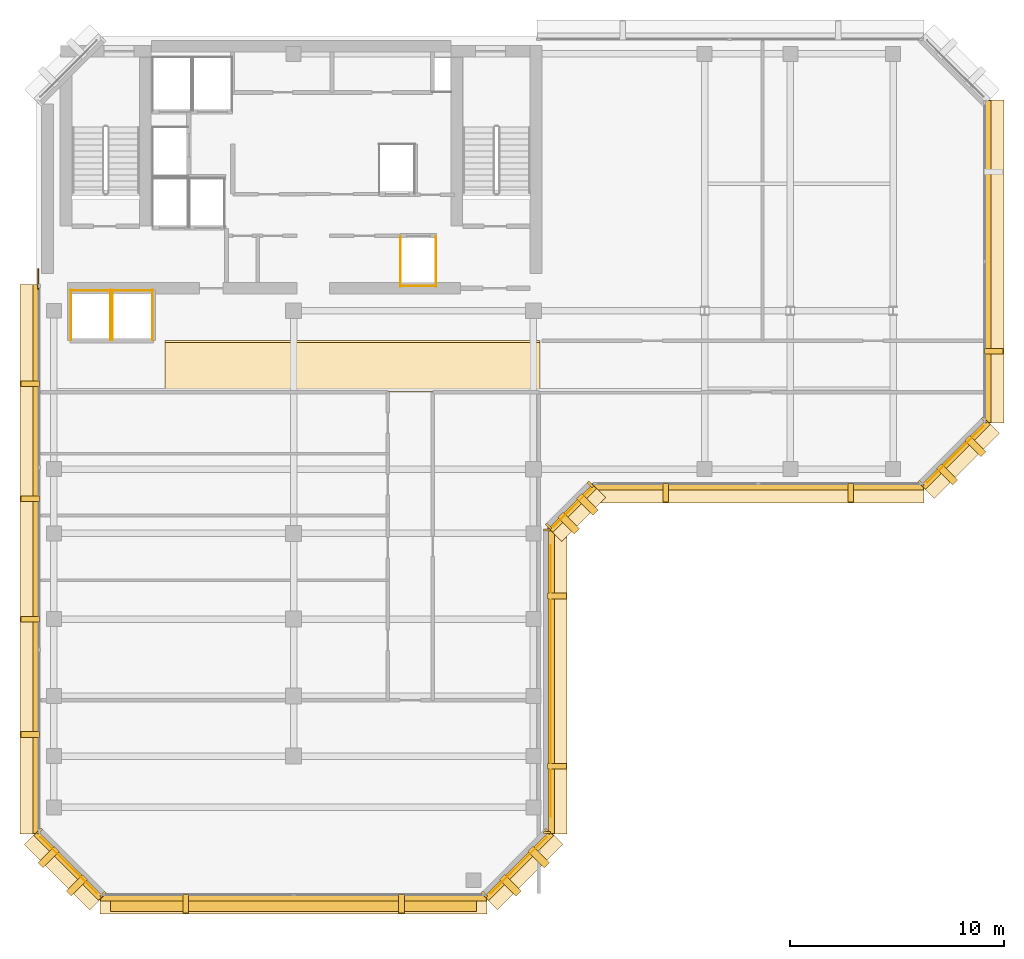
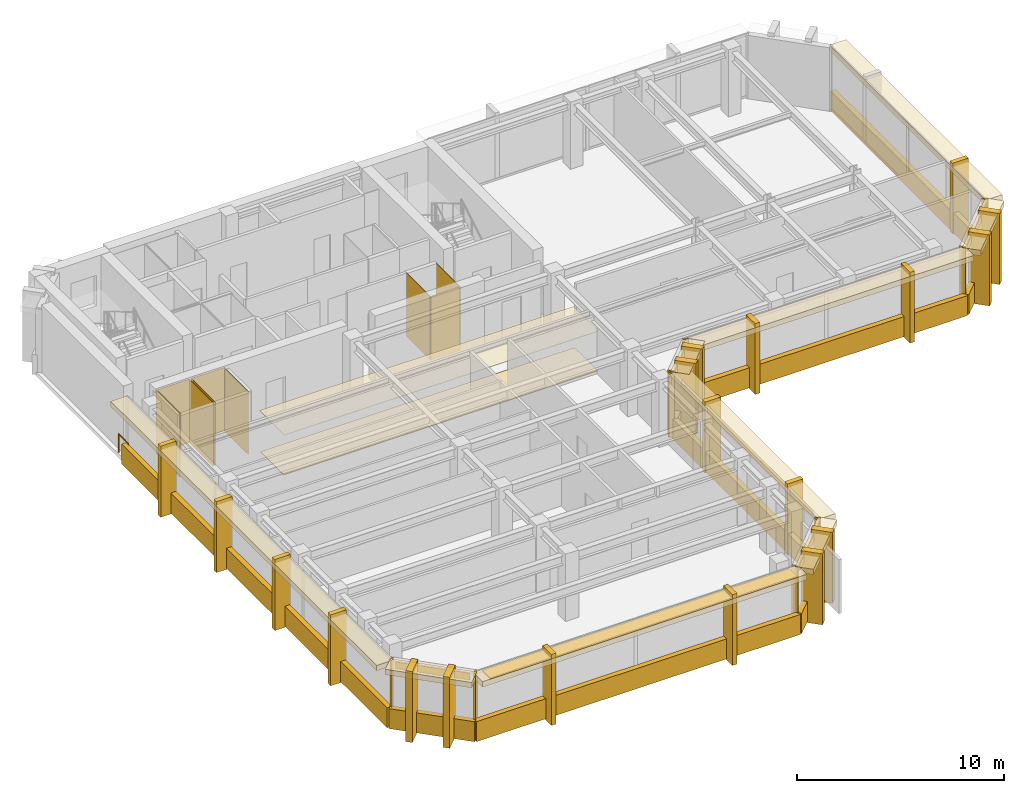
# One storey, part 9 of 11: 63 coverings, 1 railing, 1 shading device.
"""IFC4 building model written with IfcOpenShell, lengths in metres."""

import ifcopenshell
import ifcopenshell.guid

model = None  # the IFC model being written
_history = None  # IfcOwnerHistory: only IFC2X3 demands one
_inside = {}  # id of a spatial element -> (the spatial element, [elements in it])
_under = {}  # id of a project, library or spatial element -> (it, [spatial elements below it])
_declared = {}  # id of a project -> (the project, [libraries it declares])
_typed = {}  # id of a type object -> (the type object, [elements of that type])
_made_of = {}  # id of a material, layer set ... -> (it, [elements and type objects made of it])


def new_model(schema):
    """Start an empty IFC model of exactly this schema.

    Asked for "IFC4X3", IfcOpenShell would pick the latest addendum, in which some entities
    have other attributes; the version numbers below select the first issue.
    IFC2X3 requires an IfcOwnerHistory on every rooted entity: one is made here for all.
    """
    global model, _history
    if schema == "IFC4X3":
        model = ifcopenshell.file(schema_version=(4, 3, 0, 0))
    else:
        model = ifcopenshell.file(schema=schema)
    _inside.clear()
    _under.clear()
    _declared.clear()
    _typed.clear()
    _made_of.clear()
    _history = None
    if model.schema == "IFC2X3":
        org = make("IfcOrganization", Name="unknown")
        user = make(
            "IfcPersonAndOrganization",
            ThePerson=make("IfcPerson", FamilyName="unknown"),
            TheOrganization=org,
        )
        app = make(
            "IfcApplication",
            ApplicationDeveloper=org,
            Version="unknown",
            ApplicationFullName="unknown",
            ApplicationIdentifier="unknown",
        )
        _history = make(
            "IfcOwnerHistory",
            OwningUser=user,
            OwningApplication=app,
            ChangeAction="ADDED",
            CreationDate=0,
        )
    return model


def make(cls, **values):
    """One entity of the class cls with the attributes given. An attribute that is None is left unset."""
    return model.create_entity(
        cls, **{name: value for name, value in values.items() if value is not None}
    )


def rooted(cls, **values):
    """An entity with a GlobalId (a new one), such as an element, a storey or a relation."""
    return make(cls, GlobalId=ifcopenshell.guid.new(), OwnerHistory=_history, **values)


def si_unit(unit_type, name, prefix=None):
    """IfcSIUnit, for example si_unit("LENGTHUNIT", "METRE", prefix="MILLI")."""
    return make("IfcSIUnit", UnitType=unit_type, Prefix=prefix, Name=name)


def assignment(units):
    """IfcUnitAssignment: the units of a project."""
    return None if units is None else make("IfcUnitAssignment", Units=units)


def point(xyz):
    """IfcCartesianPoint."""
    return None if xyz is None else make("IfcCartesianPoint", Coordinates=xyz)


def direction(xyz):
    """IfcDirection."""
    return None if xyz is None else make("IfcDirection", DirectionRatios=xyz)


def frame(location, z_axis=None, x_axis=None):
    """IfcAxis2Placement3D, a coordinate frame: its origin and axes. An axis left out is left unset."""
    return make(
        "IfcAxis2Placement3D",
        Location=point(location),
        Axis=direction(z_axis),
        RefDirection=direction(x_axis),
    )


def frame_2d(location, x_axis=None):
    """IfcAxis2Placement2D, a coordinate frame in the plane: its origin and x axis."""
    return make(
        "IfcAxis2Placement2D", Location=point(location), RefDirection=direction(x_axis)
    )


def origin():
    """The frame at (0, 0, 0) with its axes left unset."""
    return frame((0.0, 0.0, 0.0))


def origin_2d():
    """The frame at (0, 0) in the plane with its x axis left unset."""
    return frame_2d((0.0, 0.0))


def place(relative_to, where):
    """IfcLocalPlacement: puts the frame where relative to a parent placement (None: the world)."""
    return make(
        "IfcLocalPlacement", PlacementRelTo=relative_to, RelativePlacement=where
    )


def context(
    kind, dimensions, precision=None, world=None, true_north=None, identifier=None
):
    """IfcGeometricRepresentationContext, for example the 3D "Model" context."""
    return make(
        "IfcGeometricRepresentationContext",
        ContextIdentifier=identifier,
        ContextType=kind,
        CoordinateSpaceDimension=dimensions,
        Precision=precision,
        WorldCoordinateSystem=world,
        TrueNorth=true_north,
    )


def subcontext(parent, identifier, kind, view, scale=None):
    """IfcGeometricRepresentationSubContext, for example "Body" below "Model"."""
    return make(
        "IfcGeometricRepresentationSubContext",
        ContextIdentifier=identifier,
        ContextType=kind,
        ParentContext=parent,
        TargetScale=scale,
        TargetView=view,
    )


def project(units=None, contexts=None):
    """IfcProject with its units and contexts."""
    return rooted(
        "IfcProject",
        Name="project",
        RepresentationContexts=contexts,
        UnitsInContext=assignment(units),
    )


def spatial(cls, under=None, at=None, **own):
    """A site, building, storey or space (cls), placed at a placement, below another one or the project."""
    s = rooted(cls, ObjectPlacement=at, **own)
    if under is not None:
        _under.setdefault(under.id(), (under, []))[1].append(s)
    return s


def polyline(points):
    """IfcPolyline through the points."""
    return make("IfcPolyline", Points=[point(p) for p in points])


def profile(cls, at=None, kind="AREA", **sizes):
    """A parametric profile (cls). Its sizes go by their IFC names, for example OverallWidth=200.0."""
    return make(cls, ProfileType=kind, Position=at, **sizes)


def rectangle(**sizes):
    """IfcRectangleProfileDef."""
    return profile("IfcRectangleProfileDef", **sizes)


def circle(**sizes):
    """IfcCircleProfileDef."""
    return profile("IfcCircleProfileDef", **sizes)


def outline(outer, holes=None, kind="AREA"):
    """IfcArbitraryClosedProfileDef: a profile drawn as a closed curve; with holes, ...WithVoids."""
    if holes is None:
        return make("IfcArbitraryClosedProfileDef", ProfileType=kind, OuterCurve=outer)
    return make(
        "IfcArbitraryProfileDefWithVoids",
        ProfileType=kind,
        OuterCurve=outer,
        InnerCurves=holes,
    )


def extrude(swept, where, along, depth):
    """IfcExtrudedAreaSolid: the profile swept, set in the frame where, extruded along a direction by depth."""
    return make(
        "IfcExtrudedAreaSolid",
        SweptArea=swept,
        Position=where,
        ExtrudedDirection=direction(along),
        Depth=depth,
    )


def shape(context_of_items, identifier, shape_type, items):
    """IfcShapeRepresentation: the items that make up one representation, for example the "Body"."""
    return make(
        "IfcShapeRepresentation",
        ContextOfItems=context_of_items,
        RepresentationIdentifier=identifier,
        RepresentationType=shape_type,
        Items=items,
    )


def material(Name=None, Category=None):
    """IfcMaterial."""
    return make("IfcMaterial", Name=Name, Category=Category)


def layer(
    of_material, thickness, ventilated=None, Name=None, Category=None, Priority=None
):
    """IfcMaterialLayer: one layer of a wall or slab, of a material (None: an air gap)."""
    return make(
        "IfcMaterialLayer",
        Material=of_material,
        LayerThickness=thickness,
        IsVentilated=ventilated,
        Name=Name,
        Category=Category,
        Priority=Priority,
    )


def layer_set(layers, Name=None):
    """IfcMaterialLayerSet."""
    return make("IfcMaterialLayerSet", MaterialLayers=layers, LayerSetName=Name)


def made_of(thing, what):
    """Note that an element or type object is made of a material, layer set ...; save() writes the relation."""
    if what is not None:
        _made_of.setdefault(what.id(), (what, []))[1].append(thing)
    return thing


def type_object(cls, material=None, **own):
    """A type object (cls), such as IfcWallType, which elements share."""
    return made_of(rooted(cls, **own), material)


def element(
    cls,
    number,
    at=None,
    inside=None,
    cuts=None,
    type_object=None,
    material=None,
    context=None,
    identifier="Body",
    shape_type=None,
    held_by="IfcProductDefinitionShape",
    body=None,
    shapes=None,
    **own,
):
    """One element of the class cls, such as IfcWall. Its Tag is "e" and its number.

    at: its placement. inside: the storey or other place that contains it. cuts: it is an
    opening in that element (IfcRelVoidsElement). A single representation is given by context,
    identifier, shape_type and body (its items); several are given by shapes. held_by: the class
    of the entity that holds the representations. save() writes the other relations.
    """
    e = rooted(cls, Tag="e%d" % number, ObjectPlacement=at, **own)
    if body is not None:
        shapes = [shape(context, identifier, shape_type, body)]
    if shapes is not None:
        e.Representation = make(held_by, Representations=shapes)
    if inside is not None:
        _inside.setdefault(inside.id(), (inside, []))[1].append(e)
    if cuts is not None:
        rooted(
            "IfcRelVoidsElement", RelatingBuildingElement=cuts, RelatedOpeningElement=e
        )
    if type_object is not None:
        _typed.setdefault(type_object.id(), (type_object, []))[1].append(e)
    return made_of(e, material)


def aggregate(whole, parts):
    """IfcRelAggregates: a whole, such as a stair, and the parts it consists of."""
    return rooted("IfcRelAggregates", RelatingObject=whole, RelatedObjects=parts)


def save(model, path):
    """Write the relations noted so far, then the file.

    IfcRelAggregates (storeys below a building ...), IfcRelContainedInSpatialStructure (elements
    in a storey), IfcRelDefinesByType, IfcRelAssociatesMaterial and IfcRelDeclares: one each for
    every whole, place, type object, material and project.
    """
    for whole, parts in _under.values():
        aggregate(whole, parts)
    for where, things in _inside.values():
        rooted(
            "IfcRelContainedInSpatialStructure",
            RelatedElements=things,
            RelatingStructure=where,
        )
    for kind, things in _typed.values():
        rooted("IfcRelDefinesByType", RelatedObjects=things, RelatingType=kind)
    for what, things in _made_of.values():
        rooted("IfcRelAssociatesMaterial", RelatedObjects=things, RelatingMaterial=what)
    for by, libraries in _declared.values():
        rooted("IfcRelDeclares", RelatingContext=by, RelatedDefinitions=libraries)
    model.write(path)


model = new_model("IFC4")

# Units and contexts
model_context = context("Model", 3, precision=1e-05, world=origin(), true_north=direction((0.0, 1.0)))
body_context = subcontext(model_context, "Body", "Model", "MODEL_VIEW")
ifc_project = project(units=[si_unit("LENGTHUNIT", "METRE"), si_unit("AREAUNIT", "SQUARE_METRE"), si_unit("VOLUMEUNIT", "CUBIC_METRE"), si_unit("PLANEANGLEUNIT", "RADIAN"), si_unit("MASSUNIT", "GRAM", prefix="KILO")], contexts=[model_context])

# Site, building, storey
site_placement = place(None, origin())
site = spatial("IfcSite", under=ifc_project, at=site_placement, CompositionType="ELEMENT")
building_placement = place(site_placement, origin())
building = spatial("IfcBuilding", under=site, at=building_placement, Name="Kefirva Bronze Tower", CompositionType="ELEMENT")
storey_placement = place(building_placement, frame((0.0, 0.0, 276.2099609375)))
storey = spatial("IfcBuildingStorey", under=building, at=storey_placement, Name="L67", CompositionType="ELEMENT", Elevation=276.2099609375)

# Coverings
ifc_material_1 = material(Name="Acoustic mineral tile")
ifc_layer_1 = layer(ifc_material_1, 0.02490234375, Name="Acoustic mineral tile")
ifc_layer_set_1 = layer_set([ifc_layer_1], Name="Acoustic mineral tile")
covering_type_1 = type_object("IfcCoveringType", Name="Acoustic Mineral Suspended Ceiling 25mm", PredefinedType="CEILING", material=ifc_layer_set_1)
covering_1_placement = place(storey_placement, frame((0.0, 0.0, 2.400146484375)))
element("IfcCovering", 1, at=covering_1_placement, inside=storey, type_object=covering_type_1, Name="L67 Corridor Acoustic Ceiling", PredefinedType="CEILING", context=body_context, shape_type="SweptSolid", body=[
    extrude(outline(polyline([(6.0, 29.39990234375), (23.5, 29.39990234375), (23.5, 31.800048828125), (6.0, 31.800048828125), (6.0, 29.39990234375)])), origin(), (0.0, 0.0, 1.0), 0.02490234375),
])
ifc_material_2 = material(Name="Bronze anodised aluminium", Category="aluminium")
ifc_layer_2 = layer(ifc_material_2, 0.02001953125, Name="Bronze anodised aluminium")
ifc_layer_set_2 = layer_set([ifc_layer_2], Name="Bronze anodised aluminium")
covering_type_2 = type_object("IfcCoveringType", Name="Anodised Bronze Spandrel Cladding 20mm", PredefinedType="CLADDING", material=ifc_layer_set_2)
covering_2_placement = place(storey_placement, frame((12.0, 5.760009765625, -0.16015625), z_axis=(0.0, 0.0, 1.0), x_axis=(1.0, 0.0, 0.0)))
element("IfcCovering", 2, at=covering_2_placement, inside=storey, type_object=covering_type_2, Name="L67 Streamline Horizontal Spandrel Band 0", PredefinedType="CLADDING", context=body_context, shape_type="SweptSolid", body=[
    extrude(rectangle(XDim=18.0400390625, YDim=0.280029296875, at=origin_2d()), origin(), (0.0, 0.0, 1.0), 1.179931640625),
])
covering_3_placement = place(storey_placement, frame((22.507080078125, 7.29296875, 3.320068359375), z_axis=(0.0, 0.0, 1.0), x_axis=(0.707106781187, 0.707106781187, 0.0)))
element("IfcCovering", 3, at=covering_3_placement, inside=storey, type_object=covering_type_2, Name="L67 Bronze Spandrel Cladding 1", PredefinedType="CLADDING", context=body_context, shape_type="SweptSolid", body=[
    extrude(rectangle(XDim=3.719482421875, YDim=0.02001953125, at=origin_2d()), origin(), (0.0, 0.0, 1.0), 0.39990234375),
])
for number, where, z_axis, x_axis, name in (
    (4, (20.91162109375, 5.93798828125, 0.0), (0.0, 0.0, 1.0), (0.707106781187, 0.707106781187, 0.0), "L67 Facade Joint Closure Panel 1S"),
    (5, (23.862060546875, 8.88818359375, 0.0), (0.0, 0.0, 1.0), (0.707106781187, 0.707106781187, 0.0), "L67 Facade Joint Closure Panel 1E"),
):
    element("IfcCovering", number, at=place(storey_placement, frame(where, z_axis=z_axis, x_axis=x_axis)), inside=storey, type_object=covering_type_2, Name=name, PredefinedType="CLADDING", context=body_context, shape_type="SweptSolid", body=[
        extrude(rectangle(XDim=0.10009765625, YDim=0.320068359375, at=origin_2d()), origin(), (0.0, 0.0, 1.0), 3.739990234375),
    ])
covering_4_placement = place(storey_placement, frame((22.5283203125, 7.271728515625, -0.16015625), z_axis=(0.0, 0.0, 1.0), x_axis=(0.707106781187, 0.707106781187, 0.0)))
element("IfcCovering", 6, at=covering_4_placement, inside=storey, type_object=covering_type_2, Name="L67 Streamline Horizontal Spandrel Band 1", PredefinedType="CLADDING", context=body_context, shape_type="SweptSolid", body=[
    extrude(rectangle(XDim=4.28271484375, YDim=0.280029296875, at=origin_2d()), origin(), (0.0, 0.0, 1.0), 1.179931640625),
])
covering_5_placement = place(storey_placement, frame((24.010009765625, 15.89990234375, 3.320068359375), z_axis=(0.0, 0.0, 1.0), x_axis=(0.0, 1.0, 0.0)))
element("IfcCovering", 7, at=covering_5_placement, inside=storey, type_object=covering_type_2, Name="L67 Bronze Spandrel Cladding 2", PredefinedType="CLADDING", context=body_context, shape_type="SweptSolid", body=[
    extrude(rectangle(XDim=12.680908203125, YDim=0.02001953125, at=origin_2d()), origin(), (0.0, 0.0, 1.0), 0.39990234375),
])
for number, where, z_axis, x_axis, name in (
    (8, (23.840087890625, 8.8349609375, 0.0), (0.0, 0.0, 1.0), (0.0, 1.0, 0.0), "L67 Facade Joint Closure Panel 2S"),
    (9, (23.840087890625, 22.965087890625, 0.0), (0.0, 0.0, 1.0), (0.0, 1.0, 0.0), "L67 Facade Joint Closure Panel 2E"),
):
    element("IfcCovering", number, at=place(storey_placement, frame(where, z_axis=z_axis, x_axis=x_axis)), inside=storey, type_object=covering_type_2, Name=name, PredefinedType="CLADDING", context=body_context, shape_type="SweptSolid", body=[
        extrude(rectangle(XDim=0.10009765625, YDim=0.320068359375, at=origin_2d()), origin(), (0.0, 0.0, 1.0), 3.739990234375),
    ])
covering_6_placement = place(storey_placement, frame((24.0400390625, 15.89990234375, -0.16015625), z_axis=(0.0, 0.0, 1.0), x_axis=(0.0, 1.0, 0.0)))
element("IfcCovering", 10, at=covering_6_placement, inside=storey, type_object=covering_type_2, Name="L67 Streamline Horizontal Spandrel Band 2", PredefinedType="CLADDING", context=body_context, shape_type="SweptSolid", body=[
    extrude(rectangle(XDim=14.239990234375, YDim=0.280029296875, at=origin_2d()), origin(), (0.0, 0.0, 1.0), 1.179931640625),
])
covering_7_placement = place(storey_placement, frame((25.007080078125, 23.992919921875, 3.320068359375), z_axis=(0.0, 0.0, 1.0), x_axis=(0.707106781187, 0.707106781187, 0.0)))
element("IfcCovering", 11, at=covering_7_placement, inside=storey, type_object=covering_type_2, Name="L67 Bronze Spandrel Cladding 3", PredefinedType="CLADDING", context=body_context, shape_type="SweptSolid", body=[
    extrude(rectangle(XDim=2.446533203125, YDim=0.02001953125, at=origin_2d()), origin(), (0.0, 0.0, 1.0), 0.39990234375),
])
for number, where, z_axis, x_axis, name in (
    (12, (23.91162109375, 23.137939453125, 0.0), (0.0, 0.0, 1.0), (0.707106781187, 0.707106781187, 0.0), "L67 Facade Joint Closure Panel 3S"),
    (13, (25.862060546875, 25.08837890625, 0.0), (0.0, 0.0, 1.0), (0.707106781187, 0.707106781187, 0.0), "L67 Facade Joint Closure Panel 3E"),
):
    element("IfcCovering", number, at=place(storey_placement, frame(where, z_axis=z_axis, x_axis=x_axis)), inside=storey, type_object=covering_type_2, Name=name, PredefinedType="CLADDING", context=body_context, shape_type="SweptSolid", body=[
        extrude(rectangle(XDim=0.10009765625, YDim=0.320068359375, at=origin_2d()), origin(), (0.0, 0.0, 1.0), 3.739990234375),
    ])
covering_8_placement = place(storey_placement, frame((25.0283203125, 23.9716796875, -0.16015625), z_axis=(0.0, 0.0, 1.0), x_axis=(0.707106781187, 0.707106781187, 0.0)))
element("IfcCovering", 14, at=covering_8_placement, inside=storey, type_object=covering_type_2, Name="L67 Streamline Horizontal Spandrel Band 3", PredefinedType="CLADDING", context=body_context, shape_type="SweptSolid", body=[
    extrude(rectangle(XDim=2.868408203125, YDim=0.280029296875, at=origin_2d()), origin(), (0.0, 0.0, 1.0), 1.179931640625),
])
covering_9_placement = place(storey_placement, frame((33.699951171875, 24.9599609375, -0.16015625), z_axis=(0.0, 0.0, 1.0), x_axis=(1.0, 0.0, 0.0)))
element("IfcCovering", 15, at=covering_9_placement, inside=storey, type_object=covering_type_2, Name="L67 Streamline Horizontal Spandrel Band 4", PredefinedType="CLADDING", context=body_context, shape_type="SweptSolid", body=[
    extrude(rectangle(XDim=15.43994140625, YDim=0.280029296875, at=origin_2d()), origin(), (0.0, 0.0, 1.0), 1.179931640625),
])
covering_10_placement = place(storey_placement, frame((42.906982421875, 26.492919921875, 3.320068359375), z_axis=(0.0, 0.0, 1.0), x_axis=(0.707106781187, 0.707106781187, 0.0)))
element("IfcCovering", 16, at=covering_10_placement, inside=storey, type_object=covering_type_2, Name="L67 Bronze Spandrel Cladding 4", PredefinedType="CLADDING", context=body_context, shape_type="SweptSolid", body=[
    extrude(rectangle(XDim=3.719482421875, YDim=0.02001953125, at=origin_2d()), origin(), (0.0, 0.0, 1.0), 0.39990234375),
])
for number, where, z_axis, x_axis, name in (
    (17, (41.311767578125, 25.137939453125, 0.0), (0.0, 0.0, 1.0), (0.707106781187, 0.707106781187, 0.0), "L67 Facade Joint Closure Panel 4S"),
    (18, (44.26220703125, 28.08837890625, 0.0), (0.0, 0.0, 1.0), (0.707106781187, 0.707106781187, 0.0), "L67 Facade Joint Closure Panel 4E"),
):
    element("IfcCovering", number, at=place(storey_placement, frame(where, z_axis=z_axis, x_axis=x_axis)), inside=storey, type_object=covering_type_2, Name=name, PredefinedType="CLADDING", context=body_context, shape_type="SweptSolid", body=[
        extrude(rectangle(XDim=0.10009765625, YDim=0.320068359375, at=origin_2d()), origin(), (0.0, 0.0, 1.0), 3.739990234375),
    ])
covering_11_placement = place(storey_placement, frame((42.92822265625, 26.4716796875, -0.16015625), z_axis=(0.0, 0.0, 1.0), x_axis=(0.707106781187, 0.707106781187, 0.0)))
element("IfcCovering", 19, at=covering_11_placement, inside=storey, type_object=covering_type_2, Name="L67 Streamline Horizontal Spandrel Band 5", PredefinedType="CLADDING", context=body_context, shape_type="SweptSolid", body=[
    extrude(rectangle(XDim=4.28271484375, YDim=0.280029296875, at=origin_2d()), origin(), (0.0, 0.0, 1.0), 1.179931640625),
])
covering_12_placement = place(storey_placement, frame((44.43994140625, 35.5, -0.16015625), z_axis=(0.0, 0.0, 1.0), x_axis=(0.0, 1.0, 0.0)))
element("IfcCovering", 20, at=covering_12_placement, inside=storey, type_object=covering_type_2, Name="L67 Streamline Horizontal Spandrel Band 6", PredefinedType="CLADDING", context=body_context, shape_type="SweptSolid", body=[
    extrude(rectangle(XDim=15.0400390625, YDim=0.280029296875, at=origin_2d()), origin(), (0.0, 0.0, 1.0), 1.179931640625),
])
covering_13_placement = place(storey_placement, frame((-0.0400390625, 21.597412109375, -0.16015625), z_axis=(0.0, 0.0, 1.0), x_axis=(0.0, -1.0, 0.0)))
element("IfcCovering", 21, at=covering_13_placement, inside=storey, type_object=covering_type_2, Name="L67 Streamline Horizontal Spandrel Band 10", PredefinedType="CLADDING", context=body_context, shape_type="SweptSolid", body=[
    extrude(rectangle(XDim=25.635009765625, YDim=0.280029296875, at=origin_2d()), origin(), (0.0, 0.0, 1.0), 1.179931640625),
])
covering_14_placement = place(storey_placement, frame((1.492919921875, 7.29296875, 3.320068359375), z_axis=(0.0, 0.0, 1.0), x_axis=(0.707106781187, -0.707106781187, 0.0)))
element("IfcCovering", 22, at=covering_14_placement, inside=storey, type_object=covering_type_2, Name="L67 Bronze Spandrel Cladding 7", PredefinedType="CLADDING", context=body_context, shape_type="SweptSolid", body=[
    extrude(rectangle(XDim=3.719482421875, YDim=0.02001953125, at=origin_2d()), origin(), (0.0, 0.0, 1.0), 0.39990234375),
])
for number, where, z_axis, x_axis, name in (
    (23, (0.137939453125, 8.88818359375, 0.0), (0.0, 0.0, 1.0), (0.707106781187, -0.707106781187, 0.0), "L67 Facade Joint Closure Panel 7S"),
    (24, (3.08837890625, 5.93798828125, 0.0), (0.0, 0.0, 1.0), (0.707106781187, -0.707106781187, 0.0), "L67 Facade Joint Closure Panel 7E"),
):
    element("IfcCovering", number, at=place(storey_placement, frame(where, z_axis=z_axis, x_axis=x_axis)), inside=storey, type_object=covering_type_2, Name=name, PredefinedType="CLADDING", context=body_context, shape_type="SweptSolid", body=[
        extrude(rectangle(XDim=0.10009765625, YDim=0.320068359375, at=origin_2d()), origin(), (0.0, 0.0, 1.0), 3.739990234375),
    ])
covering_15_placement = place(storey_placement, frame((1.4716796875, 7.271728515625, -0.16015625), z_axis=(0.0, 0.0, 1.0), x_axis=(0.707106781187, -0.707106781187, 0.0)))
element("IfcCovering", 25, at=covering_15_placement, inside=storey, type_object=covering_type_2, Name="L67 Streamline Horizontal Spandrel Band 11", PredefinedType="CLADDING", context=body_context, shape_type="SweptSolid", body=[
    extrude(rectangle(XDim=4.28271484375, YDim=0.280029296875, at=origin_2d()), origin(), (0.0, 0.0, 1.0), 1.179931640625),
])
covering_16_placement = place(storey_placement, origin())
element("IfcCovering", 26, at=covering_16_placement, inside=storey, type_object=covering_type_2, Name="L67 Lift OB1 Hoistway Liner N", PredefinedType="CLADDING", context=body_context, shape_type="SweptSolid", body=[
    extrude(outline(polyline([(1.580078125, 34.139892578125), (3.469970703125, 34.139892578125), (3.469970703125, 34.159912109375), (1.580078125, 34.159912109375), (1.580078125, 34.139892578125)])), origin(), (0.0, 0.0, 1.0), 3.739990234375),
])
covering_17_placement = place(storey_placement, origin())
element("IfcCovering", 27, at=covering_17_placement, inside=storey, type_object=covering_type_2, Name="L67 Lift OB1 Hoistway Liner W", PredefinedType="CLADDING", context=body_context, shape_type="SweptSolid", body=[
    extrude(outline(polyline([(1.590087890625, 31.830078125), (1.610107421875, 31.830078125), (1.610107421875, 34.169921875), (1.590087890625, 34.169921875), (1.590087890625, 31.830078125)])), origin(), (0.0, 0.0, 1.0), 3.739990234375),
])
covering_18_placement = place(storey_placement, origin())
element("IfcCovering", 28, at=covering_18_placement, inside=storey, type_object=covering_type_2, Name="L67 Lift OB1 Hoistway Liner E", PredefinedType="CLADDING", context=body_context, shape_type="SweptSolid", body=[
    extrude(outline(polyline([(3.43994140625, 31.830078125), (3.4599609375, 31.830078125), (3.4599609375, 34.169921875), (3.43994140625, 34.169921875), (3.43994140625, 31.830078125)])), origin(), (0.0, 0.0, 1.0), 3.739990234375),
])
covering_19_placement = place(storey_placement, origin())
element("IfcCovering", 29, at=covering_19_placement, inside=storey, type_object=covering_type_2, Name="L67 Lift OB2 Hoistway Liner N", PredefinedType="CLADDING", context=body_context, shape_type="SweptSolid", body=[
    extrude(outline(polyline([(3.530029296875, 34.139892578125), (5.419921875, 34.139892578125), (5.419921875, 34.159912109375), (3.530029296875, 34.159912109375), (3.530029296875, 34.139892578125)])), origin(), (0.0, 0.0, 1.0), 3.739990234375),
])
covering_20_placement = place(storey_placement, origin())
element("IfcCovering", 30, at=covering_20_placement, inside=storey, type_object=covering_type_2, Name="L67 Lift OB2 Hoistway Liner W", PredefinedType="CLADDING", context=body_context, shape_type="SweptSolid", body=[
    extrude(outline(polyline([(3.5400390625, 31.830078125), (3.56005859375, 31.830078125), (3.56005859375, 34.169921875), (3.5400390625, 34.169921875), (3.5400390625, 31.830078125)])), origin(), (0.0, 0.0, 1.0), 3.739990234375),
])
covering_21_placement = place(storey_placement, origin())
element("IfcCovering", 31, at=covering_21_placement, inside=storey, type_object=covering_type_2, Name="L67 Lift OB2 Hoistway Liner E", PredefinedType="CLADDING", context=body_context, shape_type="SweptSolid", body=[
    extrude(outline(polyline([(5.389892578125, 31.830078125), (5.409912109375, 31.830078125), (5.409912109375, 34.169921875), (5.389892578125, 34.169921875), (5.389892578125, 31.830078125)])), origin(), (0.0, 0.0, 1.0), 3.739990234375),
])
covering_22_placement = place(storey_placement, origin())
element("IfcCovering", 32, at=covering_22_placement, inside=storey, type_object=covering_type_2, Name="L67 Lift HP1 Hoistway Liner S", PredefinedType="CLADDING", context=body_context, shape_type="SweptSolid", body=[
    extrude(outline(polyline([(16.97998046875, 34.340087890625), (18.669921875, 34.340087890625), (18.669921875, 34.360107421875), (16.97998046875, 34.360107421875), (16.97998046875, 34.340087890625)])), origin(), (0.0, 0.0, 1.0), 3.739990234375),
])
covering_23_placement = place(storey_placement, origin())
element("IfcCovering", 33, at=covering_23_placement, inside=storey, type_object=covering_type_2, Name="L67 Lift HP1 Hoistway Liner W", PredefinedType="CLADDING", context=body_context, shape_type="SweptSolid", body=[
    extrude(outline(polyline([(16.989990234375, 34.330078125), (17.010009765625, 34.330078125), (17.010009765625, 36.669921875), (16.989990234375, 36.669921875), (16.989990234375, 34.330078125)])), origin(), (0.0, 0.0, 1.0), 3.739990234375),
])
covering_24_placement = place(storey_placement, origin())
element("IfcCovering", 34, at=covering_24_placement, inside=storey, type_object=covering_type_2, Name="L67 Lift HP1 Hoistway Liner E", PredefinedType="CLADDING", context=body_context, shape_type="SweptSolid", body=[
    extrude(outline(polyline([(18.639892578125, 34.330078125), (18.659912109375, 34.330078125), (18.659912109375, 36.669921875), (18.639892578125, 36.669921875), (18.639892578125, 34.330078125)])), origin(), (0.0, 0.0, 1.0), 3.739990234375),
])

# Shading device
ifc_layer_3 = layer(ifc_material_2, 0.090087890625, Name="Bronze anodised aluminium")
ifc_layer_set_3 = layer_set([ifc_layer_3], Name="Bronze anodised aluminium")
shading_device_type = type_object("IfcShadingDeviceType", Name="Horizontal Bronze Sunshade Band 750mm", PredefinedType="JALOUSIE", material=ifc_layer_set_3)
shading_device_placement = place(storey_placement, frame((12.0, 5.5048828125, 3.634765625), z_axis=(0.0, 0.0, 1.0), x_axis=(1.0, 0.0, 0.0)))
element("IfcShadingDevice", 35, at=shading_device_placement, inside=storey, type_object=shading_device_type, Name="L67 Horizontal Bronze Sunshade Band 0", PredefinedType="JALOUSIE", context=body_context, shape_type="SweptSolid", body=[
    extrude(rectangle(XDim=17.090087890625, YDim=0.75, at=origin_2d()), origin(), (0.0, 0.0, 1.0), 0.090087890625),
])

# Railing
ifc_material_3 = material(Name="Stainless steel 316", Category="steel")
railing_type = type_object("IfcRailingType", Name="Interior Stair Guardrail 1100mm", PredefinedType="GUARDRAIL", material=ifc_material_3)
railing_placement = place(storey_placement, frame((0.080078125, 34.199951171875, 0.0)))
element("IfcRailing", 36, at=railing_placement, inside=storey, type_object=railing_type, Name="L67 West Core Junction Guardrail", PredefinedType="GUARDRAIL", context=body_context, shape_type="SweptSolid", body=[
    extrude(circle(Radius=0.02392578125, at=origin_2d()), frame((0.0, 0.0, 1.076171875), z_axis=(0.0, 1.0, 0.0), x_axis=(-1.0, 0.0, 0.0)), (0.0, 0.0, 1.0), 0.949951171875),
    extrude(circle(Radius=0.02099609375, at=origin_2d()), origin(), (0.0, 0.0, 1.0), 1.052001953125),
    extrude(circle(Radius=0.02099609375, at=origin_2d()), frame((0.0, 0.949951171875, 0.0)), (0.0, 0.0, 1.0), 1.052001953125),
])

# Coverings
ifc_material_4 = material(Name="Calcium sulphate access tile")
ifc_layer_4 = layer(ifc_material_4, 0.044921875, Name="Calcium sulphate access tile")
ifc_layer_set_4 = layer_set([ifc_layer_4], Name="Calcium sulphate access tile")
covering_type_3 = type_object("IfcCoveringType", Name="Raised Access Office Flooring 45mm", PredefinedType="FLOORING", material=ifc_layer_set_4)
covering_25_placement = place(storey_placement, origin())
element("IfcCovering", 37, at=covering_25_placement, inside=storey, type_object=covering_type_3, Name="L67 Architectural Finish Flooring", PredefinedType="FLOORING", context=body_context, shape_type="SweptSolid", body=[
    extrude(outline(polyline([(6.0, 29.47998046875), (23.5, 29.47998046875), (23.5, 31.719970703125), (6.0, 31.719970703125), (6.0, 29.47998046875)])), origin(), (0.0, 0.0, 1.0), 0.044921875),
])
ifc_layer_5 = layer(ifc_material_2, 0.179931640625, Name="Bronze anodised aluminium")
ifc_layer_set_5 = layer_set([ifc_layer_5], Name="Bronze anodised aluminium")
covering_type_4 = type_object("IfcCoveringType", Name="Streamline Bronze Sunshade Eyebrow Cladding 180mm", PredefinedType="CLADDING", material=ifc_layer_set_5)
covering_26_placement = place(storey_placement, frame((12.0, 5.489990234375, 3.419921875), z_axis=(0.0, 0.0, 1.0), x_axis=(1.0, 0.0, 0.0)))
element("IfcCovering", 38, at=covering_26_placement, inside=storey, type_object=covering_type_4, Name="L67 Streamline Bronze Sunshade Eyebrow 0", PredefinedType="CLADDING", context=body_context, shape_type="SweptSolid", body=[
    extrude(rectangle(XDim=18.080078125, YDim=0.93994140625, at=origin_2d()), origin(), (0.0, 0.0, 1.0), 0.320068359375),
])
covering_27_placement = place(storey_placement, frame((22.71923828125, 7.080810546875, 3.419921875), z_axis=(0.0, 0.0, 1.0), x_axis=(0.707106781187, 0.707106781187, 0.0)))
element("IfcCovering", 39, at=covering_27_placement, inside=storey, type_object=covering_type_4, Name="L67 Streamline Bronze Sunshade Eyebrow 1", PredefinedType="CLADDING", context=body_context, shape_type="SweptSolid", body=[
    extrude(rectangle(XDim=4.322509765625, YDim=0.93994140625, at=origin_2d()), origin(), (0.0, 0.0, 1.0), 0.320068359375),
])
covering_28_placement = place(storey_placement, frame((24.31005859375, 15.89990234375, 3.419921875), z_axis=(0.0, 0.0, 1.0), x_axis=(0.0, 1.0, 0.0)))
element("IfcCovering", 40, at=covering_28_placement, inside=storey, type_object=covering_type_4, Name="L67 Streamline Bronze Sunshade Eyebrow 2", PredefinedType="CLADDING", context=body_context, shape_type="SweptSolid", body=[
    extrude(rectangle(XDim=14.280029296875, YDim=0.93994140625, at=origin_2d()), origin(), (0.0, 0.0, 1.0), 0.320068359375),
])
covering_29_placement = place(storey_placement, frame((25.21923828125, 23.78076171875, 3.419921875), z_axis=(0.0, 0.0, 1.0), x_axis=(0.707106781187, 0.707106781187, 0.0)))
element("IfcCovering", 41, at=covering_29_placement, inside=storey, type_object=covering_type_4, Name="L67 Streamline Bronze Sunshade Eyebrow 3", PredefinedType="CLADDING", context=body_context, shape_type="SweptSolid", body=[
    extrude(rectangle(XDim=2.908447265625, YDim=0.93994140625, at=origin_2d()), origin(), (0.0, 0.0, 1.0), 0.320068359375),
])
covering_30_placement = place(storey_placement, frame((33.699951171875, 24.68994140625, 3.419921875), z_axis=(0.0, 0.0, 1.0), x_axis=(1.0, 0.0, 0.0)))
element("IfcCovering", 42, at=covering_30_placement, inside=storey, type_object=covering_type_4, Name="L67 Streamline Bronze Sunshade Eyebrow 4", PredefinedType="CLADDING", context=body_context, shape_type="SweptSolid", body=[
    extrude(rectangle(XDim=15.47998046875, YDim=0.93994140625, at=origin_2d()), origin(), (0.0, 0.0, 1.0), 0.320068359375),
])
covering_31_placement = place(storey_placement, frame((43.119140625, 26.28076171875, 3.419921875), z_axis=(0.0, 0.0, 1.0), x_axis=(0.707106781187, 0.707106781187, 0.0)))
element("IfcCovering", 43, at=covering_31_placement, inside=storey, type_object=covering_type_4, Name="L67 Streamline Bronze Sunshade Eyebrow 5", PredefinedType="CLADDING", context=body_context, shape_type="SweptSolid", body=[
    extrude(rectangle(XDim=4.322509765625, YDim=0.93994140625, at=origin_2d()), origin(), (0.0, 0.0, 1.0), 0.320068359375),
])
covering_32_placement = place(storey_placement, frame((44.7099609375, 35.5, 3.419921875), z_axis=(0.0, 0.0, 1.0), x_axis=(0.0, 1.0, 0.0)))
element("IfcCovering", 44, at=covering_32_placement, inside=storey, type_object=covering_type_4, Name="L67 Streamline Bronze Sunshade Eyebrow 6", PredefinedType="CLADDING", context=body_context, shape_type="SweptSolid", body=[
    extrude(rectangle(XDim=15.080078125, YDim=0.93994140625, at=origin_2d()), origin(), (0.0, 0.0, 1.0), 0.320068359375),
])
covering_33_placement = place(storey_placement, frame((-0.31005859375, 21.597412109375, 3.419921875), z_axis=(0.0, 0.0, 1.0), x_axis=(0.0, -1.0, 0.0)))
element("IfcCovering", 45, at=covering_33_placement, inside=storey, type_object=covering_type_4, Name="L67 Streamline Bronze Sunshade Eyebrow 10", PredefinedType="CLADDING", context=body_context, shape_type="SweptSolid", body=[
    extrude(rectangle(XDim=25.675048828125, YDim=0.93994140625, at=origin_2d()), origin(), (0.0, 0.0, 1.0), 0.320068359375),
])
covering_34_placement = place(storey_placement, frame((1.28076171875, 7.080810546875, 3.419921875), z_axis=(0.0, 0.0, 1.0), x_axis=(0.707106781187, -0.707106781187, 0.0)))
element("IfcCovering", 46, at=covering_34_placement, inside=storey, type_object=covering_type_4, Name="L67 Streamline Bronze Sunshade Eyebrow 11", PredefinedType="CLADDING", context=body_context, shape_type="SweptSolid", body=[
    extrude(rectangle(XDim=4.322509765625, YDim=0.93994140625, at=origin_2d()), origin(), (0.0, 0.0, 1.0), 0.320068359375),
])
ifc_layer_6 = layer(ifc_material_2, 0.260009765625, Name="Bronze anodised aluminium")
ifc_layer_set_6 = layer_set([ifc_layer_6], Name="Bronze anodised aluminium")
covering_type_5 = type_object("IfcCoveringType", Name="Unbroken Bronze Buttress Fin Cladding 260mm", PredefinedType="CLADDING", material=ifc_layer_set_6)
for number, where, z_axis, x_axis, name in (
    (47, (6.9599609375, 5.5, -0.2197265625), (0.0, 0.0, 1.0), (1.0, 0.0, 0.0), "L67 Unbroken Vertical Bronze Rib Fin 1"),
    (48, (17.0400390625, 5.5, -0.2197265625), (0.0, 0.0, 1.0), (1.0, 0.0, 0.0), "L67 Unbroken Vertical Bronze Rib Fin 2"),
):
    element("IfcCovering", number, at=place(storey_placement, frame(where, z_axis=z_axis, x_axis=x_axis)), inside=storey, type_object=covering_type_5, Name=name, PredefinedType="CLADDING", context=body_context, shape_type="SweptSolid", body=[
        extrude(rectangle(XDim=0.260009765625, YDim=0.8798828125, at=origin_2d()), origin(), (0.0, 0.0, 1.0), 4.179931640625),
    ])
for number, where, z_axis, x_axis, name in (
    (49, (22.122802734375, 6.357177734375, -0.2197265625), (0.0, 0.0, 1.0), (0.707106781187, 0.707106781187, 0.0), "L67 Chamfered Corner Buttress Fin Cladding 3"),
    (50, (23.44287109375, 7.67724609375, -0.2197265625), (0.0, 0.0, 1.0), (0.707106781187, 0.707106781187, 0.0), "L67 Chamfered Corner Buttress Fin Cladding 4"),
):
    element("IfcCovering", number, at=place(storey_placement, frame(where, z_axis=z_axis, x_axis=x_axis)), inside=storey, type_object=covering_type_5, Name=name, PredefinedType="CLADDING", context=body_context, shape_type="SweptSolid", body=[
        extrude(rectangle(XDim=0.340087890625, YDim=1.080078125, at=origin_2d()), origin(), (0.0, 0.0, 1.0), 4.179931640625),
    ])
for number, where, z_axis, x_axis, name in (
    (51, (24.300048828125, 11.924072265625, -0.2197265625), (0.0, 0.0, 1.0), (0.0, 1.0, 0.0), "L67 Unbroken Vertical Bronze Rib Fin 5"),
    (52, (24.300048828125, 19.8759765625, -0.2197265625), (0.0, 0.0, 1.0), (0.0, 1.0, 0.0), "L67 Unbroken Vertical Bronze Rib Fin 6"),
):
    element("IfcCovering", number, at=place(storey_placement, frame(where, z_axis=z_axis, x_axis=x_axis)), inside=storey, type_object=covering_type_5, Name=name, PredefinedType="CLADDING", context=body_context, shape_type="SweptSolid", body=[
        extrude(rectangle(XDim=0.260009765625, YDim=0.8798828125, at=origin_2d()), origin(), (0.0, 0.0, 1.0), 4.179931640625),
    ])
for number, where, z_axis, x_axis, name in (
    (53, (24.8427734375, 23.277099609375, -0.2197265625), (0.0, 0.0, 1.0), (0.707106781187, 0.707106781187, 0.0), "L67 Chamfered Corner Buttress Fin Cladding 7"),
    (54, (25.722900390625, 24.1572265625, -0.2197265625), (0.0, 0.0, 1.0), (0.707106781187, 0.707106781187, 0.0), "L67 Chamfered Corner Buttress Fin Cladding 8"),
):
    element("IfcCovering", number, at=place(storey_placement, frame(where, z_axis=z_axis, x_axis=x_axis)), inside=storey, type_object=covering_type_5, Name=name, PredefinedType="CLADDING", context=body_context, shape_type="SweptSolid", body=[
        extrude(rectangle(XDim=0.340087890625, YDim=1.080078125, at=origin_2d()), origin(), (0.0, 0.0, 1.0), 4.179931640625),
    ])
for number, where, z_axis, x_axis, name in (
    (55, (29.387939453125, 24.699951171875, -0.2197265625), (0.0, 0.0, 1.0), (1.0, 0.0, 0.0), "L67 Unbroken Vertical Bronze Rib Fin 9"),
    (56, (38.011962890625, 24.699951171875, -0.2197265625), (0.0, 0.0, 1.0), (1.0, 0.0, 0.0), "L67 Unbroken Vertical Bronze Rib Fin 10"),
):
    element("IfcCovering", number, at=place(storey_placement, frame(where, z_axis=z_axis, x_axis=x_axis)), inside=storey, type_object=covering_type_5, Name=name, PredefinedType="CLADDING", context=body_context, shape_type="SweptSolid", body=[
        extrude(rectangle(XDim=0.260009765625, YDim=0.8798828125, at=origin_2d()), origin(), (0.0, 0.0, 1.0), 4.179931640625),
    ])
for number, where, z_axis, x_axis, name in (
    (57, (42.522705078125, 25.55712890625, -0.2197265625), (0.0, 0.0, 1.0), (0.707106781187, 0.707106781187, 0.0), "L67 Chamfered Corner Buttress Fin Cladding 11"),
    (58, (43.8427734375, 26.877197265625, -0.2197265625), (0.0, 0.0, 1.0), (0.707106781187, 0.707106781187, 0.0), "L67 Chamfered Corner Buttress Fin Cladding 12"),
):
    element("IfcCovering", number, at=place(storey_placement, frame(where, z_axis=z_axis, x_axis=x_axis)), inside=storey, type_object=covering_type_5, Name=name, PredefinedType="CLADDING", context=body_context, shape_type="SweptSolid", body=[
        extrude(rectangle(XDim=0.340087890625, YDim=1.080078125, at=origin_2d()), origin(), (0.0, 0.0, 1.0), 4.179931640625),
    ])
for number, where, z_axis, x_axis, name in (
    (59, (44.699951171875, 31.300048828125, -0.2197265625), (0.0, 0.0, 1.0), (0.0, 1.0, 0.0), "L67 Unbroken Vertical Bronze Rib Fin 13"),
    (60, (-0.300048828125, 29.787841796875, -0.2197265625), (0.0, 0.0, 1.0), (0.0, -1.0, 0.0), "L67 Unbroken Vertical Bronze Rib Fin 21"),
    (61, (-0.300048828125, 24.4130859375, -0.2197265625), (0.0, 0.0, 1.0), (0.0, -1.0, 0.0), "L67 Unbroken Vertical Bronze Rib Fin 22"),
    (62, (-0.300048828125, 18.781982421875, -0.2197265625), (0.0, 0.0, 1.0), (0.0, -1.0, 0.0), "L67 Unbroken Vertical Bronze Rib Fin 23"),
    (63, (-0.300048828125, 13.406982421875, -0.2197265625), (0.0, 0.0, 1.0), (0.0, -1.0, 0.0), "L67 Unbroken Vertical Bronze Rib Fin 24"),
):
    element("IfcCovering", number, at=place(storey_placement, frame(where, z_axis=z_axis, x_axis=x_axis)), inside=storey, type_object=covering_type_5, Name=name, PredefinedType="CLADDING", context=body_context, shape_type="SweptSolid", body=[
        extrude(rectangle(XDim=0.260009765625, YDim=0.8798828125, at=origin_2d()), origin(), (0.0, 0.0, 1.0), 4.179931640625),
    ])
for number, where, z_axis, x_axis, name in (
    (64, (0.55712890625, 7.67724609375, -0.2197265625), (0.0, 0.0, 1.0), (0.707106781187, -0.707106781187, 0.0), "L67 Chamfered Corner Buttress Fin Cladding 25"),
    (65, (1.877197265625, 6.357177734375, -0.2197265625), (0.0, 0.0, 1.0), (0.707106781187, -0.707106781187, 0.0), "L67 Chamfered Corner Buttress Fin Cladding 26"),
):
    element("IfcCovering", number, at=place(storey_placement, frame(where, z_axis=z_axis, x_axis=x_axis)), inside=storey, type_object=covering_type_5, Name=name, PredefinedType="CLADDING", context=body_context, shape_type="SweptSolid", body=[
        extrude(rectangle(XDim=0.340087890625, YDim=1.080078125, at=origin_2d()), origin(), (0.0, 0.0, 1.0), 4.179931640625),
    ])

save(model, "model.ifc")
